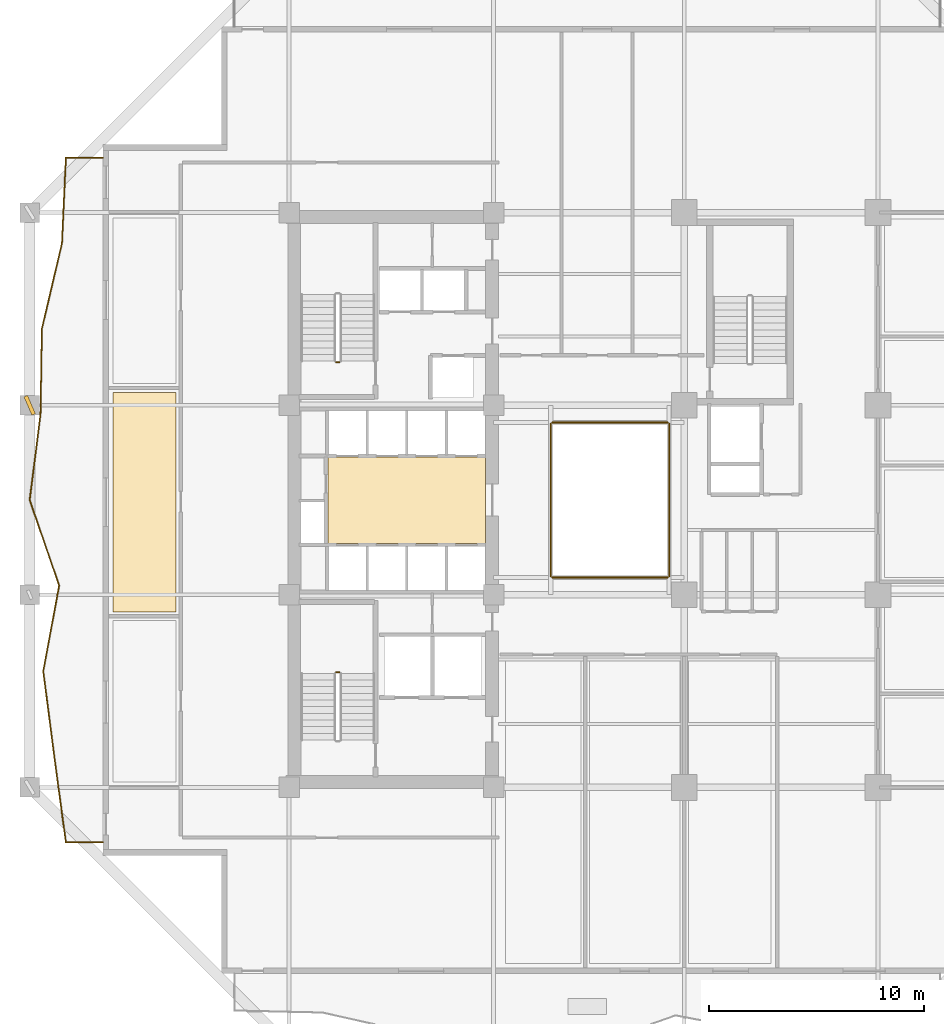
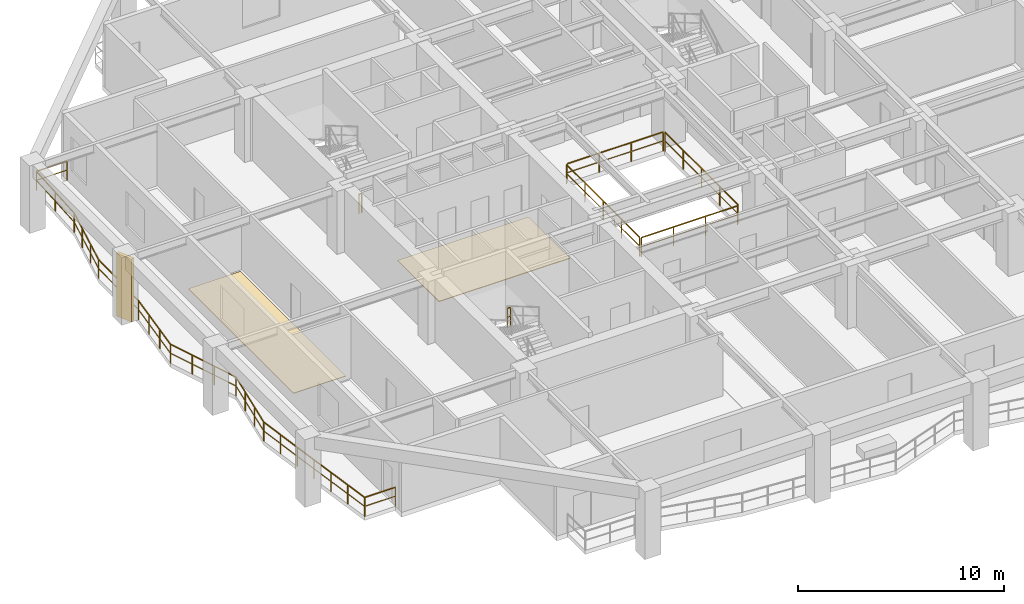
# One storey, part 9 of 13: 7 railings, 2 coverings, 1 shading device.
"""IFC4 building model written with IfcOpenShell, lengths in metres."""

from ifc_helpers import new_model, si_unit, direction, frame, origin, origin_2d, place, context, subcontext, project, spatial, polyline, rectangle, outline, extrude, material, layer, layer_set, type_object, element, save


model = new_model("IFC4")

# Units and contexts
model_context = context("Model", 3, precision=1e-05, world=origin(), true_north=direction((0.0, 1.0)))
body_context = subcontext(model_context, "Body", "Model", "MODEL_VIEW")
ifc_project = project(units=[si_unit("LENGTHUNIT", "METRE"), si_unit("AREAUNIT", "SQUARE_METRE"), si_unit("VOLUMEUNIT", "CUBIC_METRE"), si_unit("PLANEANGLEUNIT", "RADIAN"), si_unit("MASSUNIT", "GRAM", prefix="KILO")], contexts=[model_context])

# Site, building, storey
site_placement = place(None, origin())
site = spatial("IfcSite", under=ifc_project, at=site_placement, CompositionType="ELEMENT")
building_placement = place(site_placement, origin())
building = spatial("IfcBuilding", under=site, at=building_placement, Name="Kundavana Baori Tower", CompositionType="ELEMENT")
storey_placement = place(building_placement, frame((0.0, 0.0, 58.0)))
storey = spatial("IfcBuildingStorey", under=building, at=storey_placement, Name="L13", CompositionType="ELEMENT", Elevation=58.0)

# Coverings
ifc_material_1 = material(Name="Honed Kota Stone and Terrazzo Flooring", Category="masonry")
ifc_layer_1 = layer(ifc_material_1, 0.0400390625, Name="COV-FLR-TERR-40")
ifc_layer_set_1 = layer_set([ifc_layer_1], Name="Honed Kota Stone and Terrazzo Flooring")
covering_type_1 = type_object("IfcCoveringType", Name="COV-FLR-TERR-40", PredefinedType="FLOORING", material=ifc_layer_set_1)
covering_1_placement = place(storey_placement, origin())
element("IfcCovering", 1, at=covering_1_placement, inside=storey, type_object=covering_type_1, Name="L13 Core Lift Lobby Kota Stone Flooring", PredefinedType="FLOORING", context=body_context, shape_type="SweptSolid", body=[
    extrude(outline(polyline([(17.25, 26.580078125), (24.580078125, 26.580078125), (24.580078125, 30.60009765625), (17.25, 30.60009765625), (17.25, 26.580078125)])), origin(), (0.0, 0.0, 1.0), 0.0400390625),
])
ifc_material_2 = material(Name="Honed Kota Stone and Terrazzo Flooring", Category="masonry")
ifc_layer_2 = layer(ifc_material_2, 0.030029296875, Name="COV-INT-FLR")
ifc_layer_set_2 = layer_set([ifc_layer_2], Name="Honed Kota Stone and Terrazzo Flooring")
covering_type_2 = type_object("IfcCoveringType", Name="COV-INT-FLR", PredefinedType="FLOORING", material=ifc_layer_set_2)
covering_2_placement = place(storey_placement, origin())
element("IfcCovering", 2, at=covering_2_placement, inside=storey, type_object=covering_type_2, Name="L13 Room Finished Stone Flooring 2", PredefinedType="FLOORING", context=body_context, shape_type="SweptSolid", body=[
    extrude(outline(polyline([(7.280029296875, 23.39990234375), (10.199951171875, 23.39990234375), (10.199951171875, 33.60009765625), (7.280029296875, 33.60009765625), (7.280029296875, 23.39990234375)])), origin(), (0.0, 0.0, 1.0), 0.030029296875),
])

# Railings
ifc_material_3 = material(Name="Architectural Patinated Bronze Metalwork")
railing_type_1 = type_object("IfcRailingType", Name="RL-BAL-1150", PredefinedType="BALUSTRADE", material=ifc_material_3)
railing_1_placement = place(storey_placement, frame((6.800048828125, 12.699951171875, 0.0)))
element("IfcRailing", 3, at=railing_1_placement, inside=storey, type_object=railing_type_1, Name="L13 Loggia Balcony Balustrade W", PredefinedType="BALUSTRADE", context=body_context, shape_type="SweptSolid", body=[
    extrude(rectangle(XDim=0.048095703125, YDim=0.048095703125, at=origin_2d()), frame((0.0, 0.0, 1.1259765625), z_axis=(-1.0, 0.0, 0.0), x_axis=(0.0, -1.0, 0.0)), (0.0, 0.0, 1.0), 1.719970703125),
    extrude(rectangle(XDim=0.03125, YDim=0.03125, at=origin_2d()), frame((0.0, 0.0, 0.597900390625), z_axis=(-1.0, 0.0, 0.0), x_axis=(0.0, -1.0, 0.0)), (0.0, 0.0, 1.0), 1.719970703125),
    extrude(rectangle(XDim=0.048095703125, YDim=0.048095703125, at=origin_2d()), frame((-1.719970703125, 0.0, 1.1259765625), z_axis=(-0.134140822045, 0.990962279737, 0.0), x_axis=(-0.990962279737, -0.134140822045, 0.0)), (0.0, 0.0, 1.0), 4.01123046875),
    extrude(rectangle(XDim=0.03125, YDim=0.03125, at=origin_2d()), frame((-1.719970703125, 0.0, 0.597900390625), z_axis=(-0.134140822045, 0.990962279737, 0.0), x_axis=(-0.990962279737, -0.134140822045, 0.0)), (0.0, 0.0, 1.0), 4.01123046875),
    extrude(rectangle(XDim=0.048095703125, YDim=0.048095703125, at=origin_2d()), frame((-2.258056640625, 3.97509765625, 1.1259765625), z_axis=(-0.12822452981, 0.991745163817, 0.0), x_axis=(-0.991745163817, -0.12822452981, 0.0)), (0.0, 0.0, 1.0), 4.008056640625),
    extrude(rectangle(XDim=0.03125, YDim=0.03125, at=origin_2d()), frame((-2.258056640625, 3.97509765625, 0.597900390625), z_axis=(-0.12822452981, 0.991745163817, 0.0), x_axis=(-0.991745163817, -0.12822452981, 0.0)), (0.0, 0.0, 1.0), 4.008056640625),
    extrude(rectangle(XDim=0.048095703125, YDim=0.048095703125, at=origin_2d()), frame((-2.77197265625, 7.949951171875, 1.1259765625), z_axis=(0.183012420576, 0.983110601059, 0.0), x_axis=(-0.983110601059, 0.183012420576, 0.0)), (0.0, 0.0, 1.0), 4.04345703125),
    extrude(rectangle(XDim=0.03125, YDim=0.03125, at=origin_2d()), frame((-2.77197265625, 7.949951171875, 0.597900390625), z_axis=(0.183012420576, 0.983110601059, 0.0), x_axis=(-0.983110601059, 0.183012420576, 0.0)), (0.0, 0.0, 1.0), 4.04345703125),
    extrude(rectangle(XDim=0.048095703125, YDim=0.048095703125, at=origin_2d()), frame((-2.031982421875, 11.925048828125, 1.1259765625), z_axis=(-0.325446548405, 0.945560439174, 0.0), x_axis=(-0.945560439174, -0.325446548405, 0.0)), (0.0, 0.0, 1.0), 4.203857421875),
    extrude(rectangle(XDim=0.03125, YDim=0.03125, at=origin_2d()), frame((-2.031982421875, 11.925048828125, 0.597900390625), z_axis=(-0.325446548405, 0.945560439174, 0.0), x_axis=(-0.945560439174, -0.325446548405, 0.0)), (0.0, 0.0, 1.0), 4.203857421875),
    extrude(rectangle(XDim=0.048095703125, YDim=0.048095703125, at=origin_2d()), frame((-3.400146484375, 15.900146484375, 1.1259765625), z_axis=(0.125047197933, 0.992150794128, 0.0), x_axis=(-0.992150794128, 0.125047197933, 0.0)), (0.0, 0.0, 1.0), 4.00634765625),
    extrude(rectangle(XDim=0.03125, YDim=0.03125, at=origin_2d()), frame((-3.400146484375, 15.900146484375, 0.597900390625), z_axis=(0.125047197933, 0.992150794128, 0.0), x_axis=(-0.992150794128, 0.125047197933, 0.0)), (0.0, 0.0, 1.0), 4.00634765625),
    extrude(rectangle(XDim=0.048095703125, YDim=0.048095703125, at=origin_2d()), frame((-2.899169921875, 19.875, 1.1259765625), z_axis=(0.01590512455, 0.999873505506, 0.0), x_axis=(-0.999873505506, 0.01590512455, 0.0)), (0.0, 0.0, 1.0), 3.9755859375),
    extrude(rectangle(XDim=0.03125, YDim=0.03125, at=origin_2d()), frame((-2.899169921875, 19.875, 0.597900390625), z_axis=(0.01590512455, 0.999873505506, 0.0), x_axis=(-0.999873505506, 0.01590512455, 0.0)), (0.0, 0.0, 1.0), 3.9755859375),
    extrude(rectangle(XDim=0.048095703125, YDim=0.048095703125, at=origin_2d()), frame((-2.8359375, 23.85009765625, 1.1259765625), z_axis=(0.228709379169, 0.973494745687, 0.0), x_axis=(-0.973494745687, 0.228709379169, 0.0)), (0.0, 0.0, 1.0), 4.0830078125),
    extrude(rectangle(XDim=0.03125, YDim=0.03125, at=origin_2d()), frame((-2.8359375, 23.85009765625, 0.597900390625), z_axis=(0.228709379169, 0.973494745687, 0.0), x_axis=(-0.973494745687, 0.228709379169, 0.0)), (0.0, 0.0, 1.0), 4.0830078125),
    extrude(rectangle(XDim=0.048095703125, YDim=0.048095703125, at=origin_2d()), frame((-1.902099609375, 27.824951171875, 1.1259765625), z_axis=(0.045769451789, 0.99895202952, 0.0), x_axis=(-0.99895202952, 0.045769451789, 0.0)), (0.0, 0.0, 1.0), 3.979248046875),
    extrude(rectangle(XDim=0.03125, YDim=0.03125, at=origin_2d()), frame((-1.902099609375, 27.824951171875, 0.597900390625), z_axis=(0.045769451789, 0.99895202952, 0.0), x_axis=(-0.99895202952, 0.045769451789, 0.0)), (0.0, 0.0, 1.0), 3.979248046875),
    extrude(rectangle(XDim=0.048095703125, YDim=0.048095703125, at=origin_2d()), frame((-1.719970703125, 31.800048828125, 1.1259765625), z_axis=(1.0, 0.0, 0.0), x_axis=(0.0, 1.0, 0.0)), (0.0, 0.0, 1.0), 1.719970703125),
    extrude(rectangle(XDim=0.03125, YDim=0.03125, at=origin_2d()), frame((-1.719970703125, 31.800048828125, 0.597900390625), z_axis=(1.0, 0.0, 0.0), x_axis=(0.0, 1.0, 0.0)), (0.0, 0.0, 1.0), 1.719970703125),
    extrude(rectangle(XDim=0.0419921875, YDim=0.0419921875, at=origin_2d()), origin(), (0.0, 0.0, 1.0), 1.101806640625),
    extrude(rectangle(XDim=0.0419921875, YDim=0.0419921875, at=origin_2d()), frame((-1.719970703125, 0.0, 0.0)), (0.0, 0.0, 1.0), 1.101806640625),
    extrude(rectangle(XDim=0.0419921875, YDim=0.0419921875, at=origin_2d()), frame((-1.8994140625, 1.324951171875, 0.0)), (0.0, 0.0, 1.0), 1.101806640625),
    extrude(rectangle(XDim=0.0419921875, YDim=0.0419921875, at=origin_2d()), frame((-2.07861328125, 2.650146484375, 0.0)), (0.0, 0.0, 1.0), 1.101806640625),
    extrude(rectangle(XDim=0.0419921875, YDim=0.0419921875, at=origin_2d()), frame((-2.258056640625, 3.97509765625, 0.0)), (0.0, 0.0, 1.0), 1.101806640625),
    extrude(rectangle(XDim=0.0419921875, YDim=0.0419921875, at=origin_2d()), frame((-2.429443359375, 5.300048828125, 0.0)), (0.0, 0.0, 1.0), 1.101806640625),
    extrude(rectangle(XDim=0.0419921875, YDim=0.0419921875, at=origin_2d()), frame((-2.6005859375, 6.625, 0.0)), (0.0, 0.0, 1.0), 1.101806640625),
    extrude(rectangle(XDim=0.0419921875, YDim=0.0419921875, at=origin_2d()), frame((-2.77197265625, 7.949951171875, 0.0)), (0.0, 0.0, 1.0), 1.101806640625),
    extrude(rectangle(XDim=0.0419921875, YDim=0.0419921875, at=origin_2d()), frame((-2.525390625, 9.27490234375, 0.0)), (0.0, 0.0, 1.0), 1.101806640625),
    extrude(rectangle(XDim=0.0419921875, YDim=0.0419921875, at=origin_2d()), frame((-2.278564453125, 10.60009765625, 0.0)), (0.0, 0.0, 1.0), 1.101806640625),
    extrude(rectangle(XDim=0.0419921875, YDim=0.0419921875, at=origin_2d()), frame((-2.031982421875, 11.925048828125, 0.0)), (0.0, 0.0, 1.0), 1.101806640625),
    extrude(rectangle(XDim=0.0419921875, YDim=0.0419921875, at=origin_2d()), frame((-2.488037109375, 13.25, 0.0)), (0.0, 0.0, 1.0), 1.101806640625),
    extrude(rectangle(XDim=0.0419921875, YDim=0.0419921875, at=origin_2d()), frame((-2.944091796875, 14.5751953125, 0.0)), (0.0, 0.0, 1.0), 1.101806640625),
    extrude(rectangle(XDim=0.0419921875, YDim=0.0419921875, at=origin_2d()), frame((-3.400146484375, 15.900146484375, 0.0)), (0.0, 0.0, 1.0), 1.101806640625),
    extrude(rectangle(XDim=0.0419921875, YDim=0.0419921875, at=origin_2d()), frame((-3.233154296875, 17.22509765625, 0.0)), (0.0, 0.0, 1.0), 1.101806640625),
    extrude(rectangle(XDim=0.0419921875, YDim=0.0419921875, at=origin_2d()), frame((-3.066162109375, 18.550048828125, 0.0)), (0.0, 0.0, 1.0), 1.101806640625),
    extrude(rectangle(XDim=0.0419921875, YDim=0.0419921875, at=origin_2d()), frame((-2.899169921875, 19.875, 0.0)), (0.0, 0.0, 1.0), 1.101806640625),
    extrude(rectangle(XDim=0.0419921875, YDim=0.0419921875, at=origin_2d()), frame((-2.86767578125, 21.862548828125, 0.0)), (0.0, 0.0, 1.0), 1.101806640625),
    extrude(rectangle(XDim=0.0419921875, YDim=0.0419921875, at=origin_2d()), frame((-2.8359375, 23.85009765625, 0.0)), (0.0, 0.0, 1.0), 1.101806640625),
    extrude(rectangle(XDim=0.0419921875, YDim=0.0419921875, at=origin_2d()), frame((-2.524658203125, 25.175048828125, 0.0)), (0.0, 0.0, 1.0), 1.101806640625),
    extrude(rectangle(XDim=0.0419921875, YDim=0.0419921875, at=origin_2d()), frame((-2.21337890625, 26.5, 0.0)), (0.0, 0.0, 1.0), 1.101806640625),
    extrude(rectangle(XDim=0.0419921875, YDim=0.0419921875, at=origin_2d()), frame((-1.902099609375, 27.824951171875, 0.0)), (0.0, 0.0, 1.0), 1.101806640625),
    extrude(rectangle(XDim=0.0419921875, YDim=0.0419921875, at=origin_2d()), frame((-1.81103515625, 29.8125, 0.0)), (0.0, 0.0, 1.0), 1.101806640625),
    extrude(rectangle(XDim=0.0419921875, YDim=0.0419921875, at=origin_2d()), frame((-1.719970703125, 31.800048828125, 0.0)), (0.0, 0.0, 1.0), 1.101806640625),
    extrude(rectangle(XDim=0.0419921875, YDim=0.0419921875, at=origin_2d()), frame((0.0, 31.800048828125, 0.0)), (0.0, 0.0, 1.0), 1.101806640625),
])
ifc_material_4 = material(Name="Architectural Patinated Bronze Metalwork")
railing_type_2 = type_object("IfcRailingType", Name="RL-GRD-1150", PredefinedType="GUARDRAIL", material=ifc_material_4)
for number, where, name in (
    (4, (17.7900390625, 20.60009765625, 2.0), "L13 ST1 stair guard 2"),
    (5, (17.7900390625, 35.0, 0.0), "L13 ST2 stair guard 4"),
):
    element("IfcRailing", number, at=place(storey_placement, frame(where)), inside=storey, type_object=railing_type_2, Name=name, PredefinedType="GUARDRAIL", context=body_context, shape_type="SweptSolid", body=[
        extrude(rectangle(XDim=0.048095703125, YDim=0.048095703125, at=origin_2d()), frame((0.0, 0.0, 1.1259765625), z_axis=(-1.0, 0.0, 0.0), x_axis=(0.0, -1.0, 0.0)), (0.0, 0.0, 1.0), 0.16015625),
        extrude(rectangle(XDim=0.03125, YDim=0.03125, at=origin_2d()), frame((0.0, 0.0, 0.597900390625), z_axis=(-1.0, 0.0, 0.0), x_axis=(0.0, -1.0, 0.0)), (0.0, 0.0, 1.0), 0.16015625),
        extrude(rectangle(XDim=0.0419921875, YDim=0.0419921875, at=origin_2d()), origin(), (0.0, 0.0, 1.0), 1.101806640625),
        extrude(rectangle(XDim=0.0419921875, YDim=0.0419921875, at=origin_2d()), frame((-0.16015625, 0.0, 0.0)), (0.0, 0.0, 1.0), 1.101806640625),
    ])
railing_2_placement = place(storey_placement, frame((27.659912109375, 25.0, 0.0)))
element("IfcRailing", 6, at=railing_2_placement, inside=storey, type_object=railing_type_2, Name="L13 Atrium Void Perimeter Guardrail S", PredefinedType="GUARDRAIL", context=body_context, shape_type="SweptSolid", body=[
    extrude(rectangle(XDim=0.048095703125, YDim=0.048095703125, at=origin_2d()), frame((0.0, 0.0, 1.1259765625), z_axis=(1.0, 0.0, 0.0), x_axis=(0.0, 1.0, 0.0)), (0.0, 0.0, 1.0), 5.380126953125),
    extrude(rectangle(XDim=0.03125, YDim=0.03125, at=origin_2d()), frame((0.0, 0.0, 0.597900390625), z_axis=(1.0, 0.0, 0.0), x_axis=(0.0, 1.0, 0.0)), (0.0, 0.0, 1.0), 5.380126953125),
    extrude(rectangle(XDim=0.0419921875, YDim=0.0419921875, at=origin_2d()), origin(), (0.0, 0.0, 1.0), 1.101806640625),
    extrude(rectangle(XDim=0.0419921875, YDim=0.0419921875, at=origin_2d()), frame((1.79345703125, 0.0, 0.0)), (0.0, 0.0, 1.0), 1.101806640625),
    extrude(rectangle(XDim=0.0419921875, YDim=0.0419921875, at=origin_2d()), frame((3.586669921875, 0.0, 0.0)), (0.0, 0.0, 1.0), 1.101806640625),
    extrude(rectangle(XDim=0.0419921875, YDim=0.0419921875, at=origin_2d()), frame((5.380126953125, 0.0, 0.0)), (0.0, 0.0, 1.0), 1.101806640625),
])
railing_3_placement = place(storey_placement, frame((33.10009765625, 25.06005859375, 0.0)))
element("IfcRailing", 7, at=railing_3_placement, inside=storey, type_object=railing_type_2, Name="L13 Atrium Void Perimeter Guardrail E", PredefinedType="GUARDRAIL", context=body_context, shape_type="SweptSolid", body=[
    extrude(rectangle(XDim=0.048095703125, YDim=0.048095703125, at=origin_2d()), frame((0.0, 0.0, 1.1259765625), z_axis=(0.0, 1.0, 0.0), x_axis=(-1.0, 0.0, 0.0)), (0.0, 0.0, 1.0), 7.079833984375),
    extrude(rectangle(XDim=0.03125, YDim=0.03125, at=origin_2d()), frame((0.0, 0.0, 0.597900390625), z_axis=(0.0, 1.0, 0.0), x_axis=(-1.0, 0.0, 0.0)), (0.0, 0.0, 1.0), 7.079833984375),
    extrude(rectangle(XDim=0.0419921875, YDim=0.0419921875, at=origin_2d()), origin(), (0.0, 0.0, 1.0), 1.101806640625),
    extrude(rectangle(XDim=0.0419921875, YDim=0.0419921875, at=origin_2d()), frame((0.0, 1.77001953125, 0.0)), (0.0, 0.0, 1.0), 1.101806640625),
    extrude(rectangle(XDim=0.0419921875, YDim=0.0419921875, at=origin_2d()), frame((0.0, 3.5400390625, 0.0)), (0.0, 0.0, 1.0), 1.101806640625),
    extrude(rectangle(XDim=0.0419921875, YDim=0.0419921875, at=origin_2d()), frame((0.0, 5.309814453125, 0.0)), (0.0, 0.0, 1.0), 1.101806640625),
    extrude(rectangle(XDim=0.0419921875, YDim=0.0419921875, at=origin_2d()), frame((0.0, 7.079833984375, 0.0)), (0.0, 0.0, 1.0), 1.101806640625),
])
railing_4_placement = place(storey_placement, frame((33.0400390625, 32.199951171875, 0.0)))
element("IfcRailing", 8, at=railing_4_placement, inside=storey, type_object=railing_type_2, Name="L13 Atrium Void Perimeter Guardrail N", PredefinedType="GUARDRAIL", context=body_context, shape_type="SweptSolid", body=[
    extrude(rectangle(XDim=0.048095703125, YDim=0.048095703125, at=origin_2d()), frame((0.0, 0.0, 1.1259765625), z_axis=(-1.0, 0.0, 0.0), x_axis=(0.0, -1.0, 0.0)), (0.0, 0.0, 1.0), 5.380126953125),
    extrude(rectangle(XDim=0.03125, YDim=0.03125, at=origin_2d()), frame((0.0, 0.0, 0.597900390625), z_axis=(-1.0, 0.0, 0.0), x_axis=(0.0, -1.0, 0.0)), (0.0, 0.0, 1.0), 5.380126953125),
    extrude(rectangle(XDim=0.0419921875, YDim=0.0419921875, at=origin_2d()), origin(), (0.0, 0.0, 1.0), 1.101806640625),
    extrude(rectangle(XDim=0.0419921875, YDim=0.0419921875, at=origin_2d()), frame((-1.79345703125, 0.0, 0.0)), (0.0, 0.0, 1.0), 1.101806640625),
    extrude(rectangle(XDim=0.0419921875, YDim=0.0419921875, at=origin_2d()), frame((-3.586669921875, 0.0, 0.0)), (0.0, 0.0, 1.0), 1.101806640625),
    extrude(rectangle(XDim=0.0419921875, YDim=0.0419921875, at=origin_2d()), frame((-5.380126953125, 0.0, 0.0)), (0.0, 0.0, 1.0), 1.101806640625),
])
railing_5_placement = place(storey_placement, frame((27.60009765625, 32.139892578125, 0.0)))
element("IfcRailing", 9, at=railing_5_placement, inside=storey, type_object=railing_type_2, Name="L13 Atrium Void Perimeter Guardrail W", PredefinedType="GUARDRAIL", context=body_context, shape_type="SweptSolid", body=[
    extrude(rectangle(XDim=0.048095703125, YDim=0.048095703125, at=origin_2d()), frame((0.0, 0.0, 1.1259765625), z_axis=(0.0, -1.0, 0.0), x_axis=(1.0, 0.0, 0.0)), (0.0, 0.0, 1.0), 7.079833984375),
    extrude(rectangle(XDim=0.03125, YDim=0.03125, at=origin_2d()), frame((0.0, 0.0, 0.597900390625), z_axis=(0.0, -1.0, 0.0), x_axis=(1.0, 0.0, 0.0)), (0.0, 0.0, 1.0), 7.079833984375),
    extrude(rectangle(XDim=0.0419921875, YDim=0.0419921875, at=origin_2d()), origin(), (0.0, 0.0, 1.0), 1.101806640625),
    extrude(rectangle(XDim=0.0419921875, YDim=0.0419921875, at=origin_2d()), frame((0.0, -1.77001953125, 0.0)), (0.0, 0.0, 1.0), 1.101806640625),
    extrude(rectangle(XDim=0.0419921875, YDim=0.0419921875, at=origin_2d()), frame((0.0, -3.5400390625, 0.0)), (0.0, 0.0, 1.0), 1.101806640625),
    extrude(rectangle(XDim=0.0419921875, YDim=0.0419921875, at=origin_2d()), frame((0.0, -5.309814453125, 0.0)), (0.0, 0.0, 1.0), 1.101806640625),
    extrude(rectangle(XDim=0.0419921875, YDim=0.0419921875, at=origin_2d()), frame((0.0, -7.079833984375, 0.0)), (0.0, 0.0, 1.0), 1.101806640625),
])

# Shading device
ifc_material_5 = material(Name="Red-Buff Dholpur Sandstone Cladding on Concrete C40/50", Category="masonry")
shading_device_type = type_object("IfcShadingDeviceType", Name="SHD-FIN-920", PredefinedType="JALOUSIE", material=ifc_material_5)
shading_device_placement = place(storey_placement, frame((3.39990234375, 33.0, 0.0), z_axis=(0.0, 0.0, 1.0), x_axis=(0.917060074385, 0.398749068925, 0.0)))
element("IfcShadingDevice", 10, at=shading_device_placement, inside=storey, type_object=shading_device_type, Name="L13 Sweeping Dholpur Sandstone Facade Fin 7", PredefinedType="JALOUSIE", context=body_context, shape_type="SweptSolid", body=[
    extrude(rectangle(XDim=0.179931640625, YDim=0.919921875, at=origin_2d()), origin(), (0.0, 0.0, 1.0), 3.719970703125),
])

save(model, "model.ifc")
